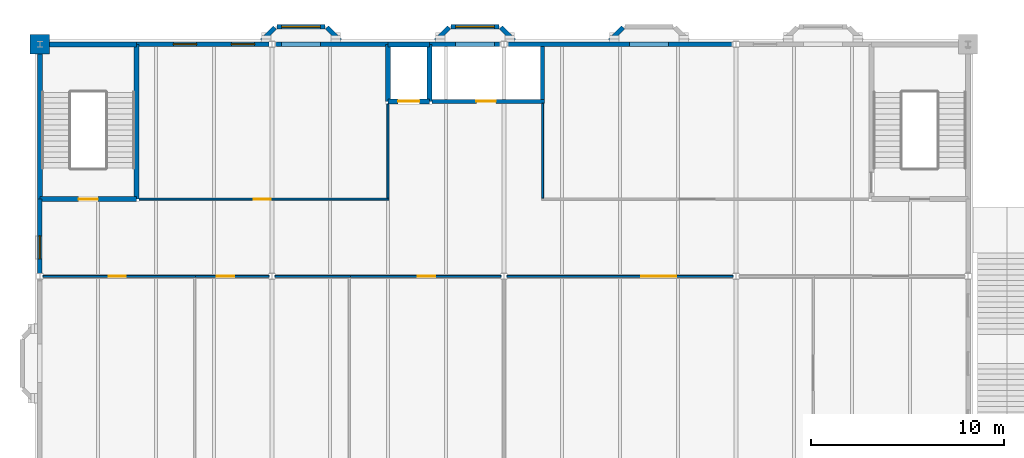
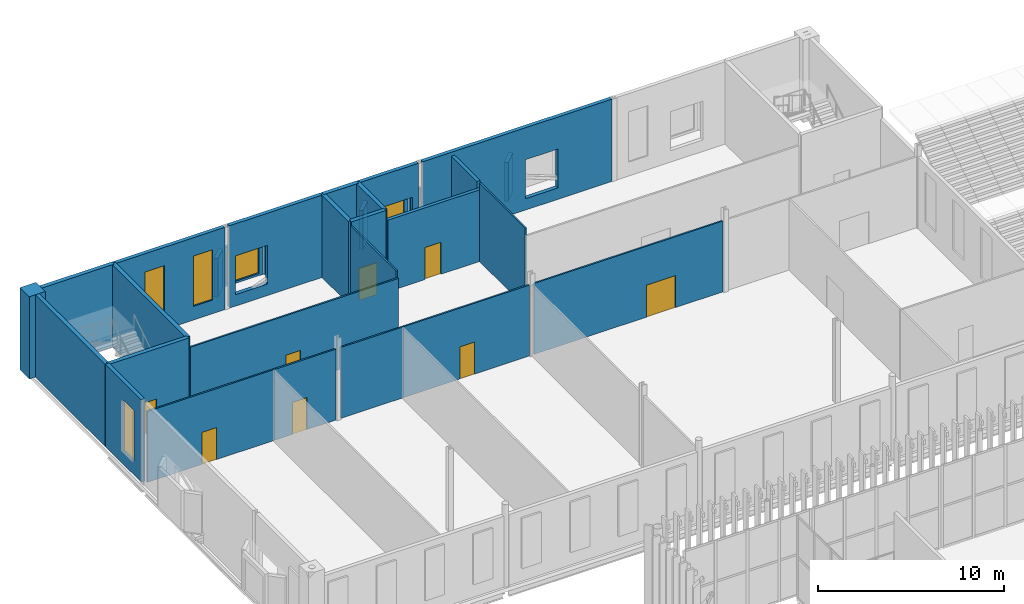
# One storey, part 112 of 170: 31 walls, 8 doors, 5 windows, 16 openings.
"""IFC4 building model written with IfcOpenShell, lengths in metres."""

from ifc_helpers import new_model, si_unit, direction, frame, frame_2d, origin, place, context, subcontext, project, spatial, rectangle, extrude, material, layer, layer_set, type_object, element, fill, save


model = new_model("IFC4")

# Units and contexts
model_context = context("Model", 3, precision=1e-05, world=origin(), true_north=direction((0.0, 1.0)))
body_context = subcontext(model_context, "Body", "Model", "MODEL_VIEW")
ifc_project = project(units=[si_unit("LENGTHUNIT", "METRE"), si_unit("AREAUNIT", "SQUARE_METRE"), si_unit("VOLUMEUNIT", "CUBIC_METRE"), si_unit("PLANEANGLEUNIT", "RADIAN"), si_unit("MASSUNIT", "GRAM", prefix="KILO")], contexts=[model_context])

# Site, building, storey
site_placement = place(None, origin())
site = spatial("IfcSite", under=ifc_project, at=site_placement, CompositionType="ELEMENT")
building_placement = place(site_placement, origin())
building = spatial("IfcBuilding", under=site, at=building_placement, Name="Ravi Spectrum Wholesale Market", CompositionType="ELEMENT")
storey_placement = place(building_placement, frame((0.0, 0.0, 5.39990234375)))
storey = spatial("IfcBuildingStorey", under=building, at=storey_placement, Name="L01", CompositionType="ELEMENT", Elevation=5.39990234375)

# Wall, opening, door
ifc_material_1 = material(Name="Concrete blockwork", Category="masonry")
ifc_layer_1 = layer(ifc_material_1, 0.199951171875)
ifc_layer_set_1 = layer_set([ifc_layer_1], Name="Concrete blockwork")
wall_type_1 = type_object("IfcWallType", Name="Blockwork partition 200 fire", PredefinedType="PARTITIONING", material=ifc_layer_set_1)
wall_1_placement = place(storey_placement, frame((32.27490234375, 231.050048828125, 0.0), z_axis=(0.0, 0.0, 1.0), x_axis=(1.0, 0.0, 0.0)))
wall_1 = element("IfcWall", 1, at=wall_1_placement, inside=storey, type_object=wall_type_1, Name="OF-WL-L01-092", PredefinedType="PARTITIONING", context=body_context, shape_type="SweptSolid", body=[
    extrude(rectangle(XDim=5.8251953125, YDim=0.199951171875, at=frame_2d((2.91259765625, 0.0))), origin(), (0.0, 0.0, 1.0), 4.7001953125),
])
opening_1_placement = place(wall_1_placement, frame((2.300048828125, 0.0, 0.0)))
opening_1 = element("IfcOpeningElement", 2, at=opening_1_placement, cuts=wall_1, Name="Opening D629", PredefinedType="OPENING", context=body_context, shape_type="SweptSolid", body=[
    extrude(rectangle(XDim=1.0, YDim=2.10009765625, at=frame_2d((0.5, 1.050048828125))), frame((0.0, 0.10986328125, 0.0), z_axis=(0.0, -1.0, 0.0), x_axis=(1.0, 0.0, 0.0)), (0.0, 0.0, 1.0), 0.219970703125),
])
ifc_material_2 = material(Name="Steel door", Category="steel")
door_type_1 = type_object("IfcDoorType", Name="Plant room door 1000 x 2100", OperationType="SINGLE_SWING_LEFT", PredefinedType="DOOR", material=ifc_material_2)
door_1_placement = place(opening_1_placement, origin())
door_1 = element("IfcDoor", 3, at=door_1_placement, inside=storey, type_object=door_type_1, Name="Riser access door D629", OperationType="SINGLE_SWING_RIGHT", OverallHeight=2.10009765625, OverallWidth=1.0, PredefinedType="DOOR", context=body_context, shape_type="SweptSolid", body=[
    extrude(rectangle(XDim=1.0, YDim=2.10009765625, at=frame_2d((0.5, 1.050048828125))), frame((0.0, 0.02490234375, 0.0), z_axis=(0.0, -1.0, 0.0), x_axis=(1.0, 0.0, 0.0)), (0.0, 0.0, 1.0), 0.050048828125),
])
fill(opening_1, door_1)

# Wall
wall_2_placement = place(storey_placement, frame((38.0, 231.14990234375, 0.0), z_axis=(0.0, 0.0, 1.0), x_axis=(0.0, 1.0, 0.0)))
element("IfcWall", 4, at=wall_2_placement, inside=storey, type_object=wall_type_1, Name="OF-WL-L01-099", PredefinedType="PARTITIONING", context=body_context, shape_type="SweptSolid", body=[
    extrude(rectangle(XDim=2.735107421875, YDim=0.199951171875, at=frame_2d((1.36767578125, 0.0))), origin(), (0.0, 0.0, 1.0), 5.150146484375),
])

# Wall, openings, windows
ifc_material_3 = material(Name="Facing brickwork", Category="masonry")
ifc_layer_2 = layer(ifc_material_3, 0.22998046875)
ifc_layer_set_2 = layer_set([ifc_layer_2], Name="Facing brickwork")
wall_type_2 = type_object("IfcWallType", Name="Brick 230 facing", PredefinedType="SOLIDWALL", material=ifc_layer_set_2)
wall_3_placement = place(storey_placement, frame((17.0, 234.0, 0.0), z_axis=(0.0, 0.0, 1.0), x_axis=(1.0, 0.0, 0.0)))
wall_3 = element("IfcWall", 5, at=wall_3_placement, inside=storey, type_object=wall_type_2, Name="OF-WL-L01-013", PredefinedType="SOLIDWALL", context=body_context, shape_type="SweptSolid", body=[
    extrude(rectangle(XDim=6.85009765625, YDim=0.22998046875, at=frame_2d((3.425048828125, 0.0))), origin(), (0.0, 0.0, 1.0), 5.400146484375),
])
opening_2_placement = place(wall_3_placement, frame((1.89990234375, 0.0, 0.89990234375)))
opening_2 = element("IfcOpeningElement", 6, at=opening_2_placement, cuts=wall_3, Name="Opening W3237", PredefinedType="OPENING", context=body_context, shape_type="SweptSolid", body=[
    extrude(rectangle(XDim=1.199951171875, YDim=3.300048828125, at=frame_2d((0.60009765625, 1.64990234375))), frame((0.0, 0.125, 0.0), z_axis=(0.0, -1.0, 0.0), x_axis=(1.0, 0.0, 0.0)), (0.0, 0.0, 1.0), 0.25),
])
opening_3_placement = place(wall_3_placement, frame((4.89990234375, 0.0, 0.89990234375)))
opening_3 = element("IfcOpeningElement", 7, at=opening_3_placement, cuts=wall_3, Name="Opening W3238", PredefinedType="OPENING", context=body_context, shape_type="SweptSolid", body=[
    extrude(rectangle(XDim=1.199951171875, YDim=3.300048828125, at=frame_2d((0.60009765625, 1.64990234375))), frame((0.0, 0.125, 0.0), z_axis=(0.0, -1.0, 0.0), x_axis=(1.0, 0.0, 0.0)), (0.0, 0.0, 1.0), 0.25),
])
ifc_material_4 = material(Name="Steel window frame", Category="steel")
window_type_1 = type_object("IfcWindowType", Name="Tall pier window 1200 x 3300", PartitioningType="SINGLE_PANEL", PredefinedType="WINDOW", material=ifc_material_4)
window_1_placement = place(opening_2_placement, origin())
window_1 = element("IfcWindow", 8, at=window_1_placement, inside=storey, type_object=window_type_1, Name="Window W3237", OverallHeight=3.300048828125, OverallWidth=1.199951171875, PartitioningType="SINGLE_PANEL", PredefinedType="WINDOW", context=body_context, shape_type="SweptSolid", body=[
    extrude(rectangle(XDim=1.199951171875, YDim=3.300048828125, at=frame_2d((0.60009765625, 1.64990234375))), frame((0.0, 0.030029296875, 0.0), z_axis=(0.0, -1.0, 0.0), x_axis=(1.0, 0.0, 0.0)), (0.0, 0.0, 1.0), 0.06005859375),
])
fill(opening_2, window_1)
window_2_placement = place(opening_3_placement, origin())
window_2 = element("IfcWindow", 9, at=window_2_placement, inside=storey, type_object=window_type_1, Name="Window W3238", OverallHeight=3.300048828125, OverallWidth=1.199951171875, PartitioningType="SINGLE_PANEL", PredefinedType="WINDOW", context=body_context, shape_type="SweptSolid", body=[
    extrude(rectangle(XDim=1.199951171875, YDim=3.300048828125, at=frame_2d((0.60009765625, 1.64990234375))), frame((0.0, 0.030029296875, 0.0), z_axis=(0.0, -1.0, 0.0), x_axis=(1.0, 0.0, 0.0)), (0.0, 0.0, 1.0), 0.06005859375),
])
fill(opening_3, window_2)

# Wall, opening
wall_4_placement = place(storey_placement, frame((24.14990234375, 234.0, 0.0), z_axis=(0.0, 0.0, 1.0), x_axis=(1.0, 0.0, 0.0)))
wall_4 = element("IfcWall", 10, at=wall_4_placement, inside=storey, type_object=wall_type_2, Name="OF-WL-L01-014", PredefinedType="SOLIDWALL", context=body_context, shape_type="SweptSolid", body=[
    extrude(rectangle(XDim=5.85009765625, YDim=0.22998046875, at=frame_2d((2.925048828125, 0.0))), origin(), (0.0, 0.0, 1.0), 5.400146484375),
])
opening_4_placement = place(wall_4_placement, frame((0.35009765625, 0.0, 0.75)))
element("IfcOpeningElement", 11, at=opening_4_placement, cuts=wall_4, Name="Opening OF-OP-L01-001", PredefinedType="OPENING", context=body_context, shape_type="SweptSolid", body=[
    extrude(rectangle(XDim=2.0, YDim=2.550048828125, at=frame_2d((1.0, 1.27490234375))), frame((0.0, 0.125, 0.0), z_axis=(0.0, -1.0, 0.0), x_axis=(1.0, 0.0, 0.0)), (0.0, 0.0, 1.0), 0.25),
])

wall_5_placement = place(storey_placement, frame((32.14990234375, 234.0, 0.0), z_axis=(0.0, 0.0, 1.0), x_axis=(1.0, 0.0, 0.0)))
wall_5 = element("IfcWall", 12, at=wall_5_placement, inside=storey, type_object=wall_type_2, Name="OF-WL-L01-015", PredefinedType="SOLIDWALL", context=body_context, shape_type="SweptSolid", body=[
    extrude(rectangle(XDim=3.7001953125, YDim=0.22998046875, at=frame_2d((1.85009765625, 0.0))), origin(), (0.0, 0.0, 1.0), 5.400146484375),
])
opening_5_placement = place(wall_5_placement, frame((1.35009765625, 0.0, 0.75)))
element("IfcOpeningElement", 13, at=opening_5_placement, cuts=wall_5, Name="Opening OF-OP-L01-002", PredefinedType="OPENING", context=body_context, shape_type="SweptSolid", body=[
    extrude(rectangle(XDim=2.0, YDim=2.550048828125, at=frame_2d((1.0, 1.27490234375))), frame((0.0, 0.125, 0.0), z_axis=(0.0, -1.0, 0.0), x_axis=(1.0, 0.0, 0.0)), (0.0, 0.0, 1.0), 0.25),
])

wall_6_placement = place(storey_placement, frame((36.14990234375, 234.0, 0.0), z_axis=(0.0, 0.0, 1.0), x_axis=(1.0, 0.0, 0.0)))
wall_6 = element("IfcWall", 14, at=wall_6_placement, inside=storey, type_object=wall_type_2, Name="OF-WL-L01-016", PredefinedType="SOLIDWALL", context=body_context, shape_type="SweptSolid", body=[
    extrude(rectangle(XDim=11.7001953125, YDim=0.22998046875, at=frame_2d((5.85009765625, 0.0))), origin(), (0.0, 0.0, 1.0), 5.400146484375),
])
opening_6_placement = place(wall_6_placement, frame((6.35009765625, 0.0, 0.75)))
element("IfcOpeningElement", 15, at=opening_6_placement, cuts=wall_6, Name="Opening OF-OP-L01-003", PredefinedType="OPENING", context=body_context, shape_type="SweptSolid", body=[
    extrude(rectangle(XDim=2.0, YDim=2.550048828125, at=frame_2d((1.0, 1.27490234375))), frame((0.0, 0.125, 0.0), z_axis=(0.0, -1.0, 0.0), x_axis=(1.0, 0.0, 0.0)), (0.0, 0.0, 1.0), 0.25),
])

# Wall, opening, window
wall_7_placement = place(storey_placement, frame((12.0, 222.14990234375, 0.0), z_axis=(0.0, 0.0, 1.0), x_axis=(0.0, 1.0, 0.0)))
wall_7 = element("IfcWall", 16, at=wall_7_placement, inside=storey, type_object=wall_type_2, Name="OF-WL-L01-020", PredefinedType="SOLIDWALL", context=body_context, shape_type="SweptSolid", body=[
    extrude(rectangle(XDim=3.85009765625, YDim=0.22998046875, at=frame_2d((1.925048828125, 0.0))), origin(), (0.0, 0.0, 1.0), 5.400146484375),
])
opening_7_placement = place(wall_7_placement, frame((0.75, 0.0, 0.89990234375)))
opening_7 = element("IfcOpeningElement", 17, at=opening_7_placement, cuts=wall_7, Name="Opening W3245", PredefinedType="OPENING", context=body_context, shape_type="SweptSolid", body=[
    extrude(rectangle(XDim=1.199951171875, YDim=3.300048828125, at=frame_2d((0.60009765625, 1.64990234375))), frame((0.0, 0.125, 0.0), z_axis=(0.0, -1.0, 0.0), x_axis=(1.0, 0.0, 0.0)), (0.0, 0.0, 1.0), 0.25),
])
ifc_material_5 = material(Name="Steel window frame", Category="steel")
window_type_2 = type_object("IfcWindowType", Name="Tall pier window with jali 1200 x 3300", PartitioningType="SINGLE_PANEL", PredefinedType="WINDOW", material=ifc_material_5)
window_3_placement = place(opening_7_placement, origin())
window_3 = element("IfcWindow", 18, at=window_3_placement, inside=storey, type_object=window_type_2, Name="Window W3245", OverallHeight=3.300048828125, OverallWidth=1.199951171875, PartitioningType="SINGLE_PANEL", PredefinedType="WINDOW", context=body_context, shape_type="SweptSolid", body=[
    extrude(rectangle(XDim=1.199951171875, YDim=3.300048828125, at=frame_2d((0.60009765625, 1.64990234375))), frame((0.0, 0.030029296875, 0.0), z_axis=(0.0, -1.0, 0.0), x_axis=(1.0, 0.0, 0.0)), (0.0, 0.0, 1.0), 0.06005859375),
])
fill(opening_7, window_3)

# Wall
wall_8_placement = place(storey_placement, frame((23.481201171875, 234.1962890625, 0.75), z_axis=(0.0, 0.0, 1.0), x_axis=(0.707106781187, 0.707106781187, 0.0)))
element("IfcWall", 19, at=wall_8_placement, inside=storey, type_object=wall_type_2, Name="Oriel wall", PredefinedType="SOLIDWALL", context=body_context, shape_type="SweptSolid", body=[
    extrude(rectangle(XDim=0.956298828125, YDim=0.22998046875, at=frame_2d((0.47802734375, 0.0))), origin(), (0.0, 0.0, 1.0), 2.550048828125),
])

# Wall, opening, window
wall_9_placement = place(storey_placement, frame((24.260009765625, 234.9150390625, 0.75), z_axis=(0.0, 0.0, 1.0), x_axis=(1.0, 0.0, 0.0)))
wall_9 = element("IfcWall", 20, at=wall_9_placement, inside=storey, type_object=wall_type_2, Name="Oriel wall", PredefinedType="SOLIDWALL", context=body_context, shape_type="SweptSolid", body=[
    extrude(rectangle(XDim=2.47998046875, YDim=0.22998046875, at=frame_2d((1.239990234375, 0.0))), origin(), (0.0, 0.0, 1.0), 2.550048828125),
])
opening_8_placement = place(wall_9_placement, frame((0.239990234375, 0.0, 0.14990234375)))
opening_8 = element("IfcOpeningElement", 21, at=opening_8_placement, cuts=wall_9, Name="Opening W3240", PredefinedType="OPENING", context=body_context, shape_type="SweptSolid", body=[
    extrude(rectangle(XDim=2.0, YDim=2.10009765625, at=frame_2d((1.0, 1.050048828125))), frame((0.0, 0.125, 0.0), z_axis=(0.0, -1.0, 0.0), x_axis=(1.0, 0.0, 0.0)), (0.0, 0.0, 1.0), 0.25),
])
ifc_material_6 = material(Name="Steel window frame", Category="steel")
window_type_3 = type_object("IfcWindowType", Name="Oriel window 2000 x 2100", PartitioningType="SINGLE_PANEL", PredefinedType="WINDOW", material=ifc_material_6)
window_4_placement = place(opening_8_placement, origin())
window_4 = element("IfcWindow", 22, at=window_4_placement, inside=storey, type_object=window_type_3, Name="Window W3240", OverallHeight=2.10009765625, OverallWidth=2.0, PartitioningType="SINGLE_PANEL", PredefinedType="WINDOW", context=body_context, shape_type="SweptSolid", body=[
    extrude(rectangle(XDim=2.0, YDim=2.10009765625, at=frame_2d((1.0, 1.050048828125))), frame((0.0, 0.030029296875, 0.0), z_axis=(0.0, -1.0, 0.0), x_axis=(1.0, 0.0, 0.0)), (0.0, 0.0, 1.0), 0.06005859375),
])
fill(opening_8, window_4)

# Walls
for number, where, z_axis, x_axis, name in (
    (23, (26.842529296875, 234.87255859375, 0.75), (0.0, 0.0, 1.0), (0.707106781187, -0.707106781187, 0.0), "Oriel wall"),
    (24, (32.481201171875, 234.1962890625, 0.75), (0.0, 0.0, 1.0), (0.707106781187, 0.707106781187, 0.0), "Oriel wall"),
):
    element("IfcWall", number, at=place(storey_placement, frame(where, z_axis=z_axis, x_axis=x_axis)), inside=storey, type_object=wall_type_2, Name=name, PredefinedType="SOLIDWALL", context=body_context, shape_type="SweptSolid", body=[
        extrude(rectangle(XDim=0.956298828125, YDim=0.22998046875, at=frame_2d((0.47802734375, 0.0))), origin(), (0.0, 0.0, 1.0), 2.550048828125),
    ])

# Wall, opening, window
wall_10_placement = place(storey_placement, frame((33.260009765625, 234.9150390625, 0.75), z_axis=(0.0, 0.0, 1.0), x_axis=(1.0, 0.0, 0.0)))
wall_10 = element("IfcWall", 25, at=wall_10_placement, inside=storey, type_object=wall_type_2, Name="Oriel wall", PredefinedType="SOLIDWALL", context=body_context, shape_type="SweptSolid", body=[
    extrude(rectangle(XDim=2.47998046875, YDim=0.22998046875, at=frame_2d((1.239990234375, 0.0))), origin(), (0.0, 0.0, 1.0), 2.550048828125),
])
opening_9_placement = place(wall_10_placement, frame((0.239990234375, 0.0, 0.14990234375)))
opening_9 = element("IfcOpeningElement", 26, at=opening_9_placement, cuts=wall_10, Name="Opening W3241", PredefinedType="OPENING", context=body_context, shape_type="SweptSolid", body=[
    extrude(rectangle(XDim=2.0, YDim=2.10009765625, at=frame_2d((1.0, 1.050048828125))), frame((0.0, 0.125, 0.0), z_axis=(0.0, -1.0, 0.0), x_axis=(1.0, 0.0, 0.0)), (0.0, 0.0, 1.0), 0.25),
])
window_5_placement = place(opening_9_placement, origin())
window_5 = element("IfcWindow", 27, at=window_5_placement, inside=storey, type_object=window_type_3, Name="Window W3241", OverallHeight=2.10009765625, OverallWidth=2.0, PartitioningType="SINGLE_PANEL", PredefinedType="WINDOW", context=body_context, shape_type="SweptSolid", body=[
    extrude(rectangle(XDim=2.0, YDim=2.10009765625, at=frame_2d((1.0, 1.050048828125))), frame((0.0, 0.030029296875, 0.0), z_axis=(0.0, -1.0, 0.0), x_axis=(1.0, 0.0, 0.0)), (0.0, 0.0, 1.0), 0.06005859375),
])
fill(opening_9, window_5)

# Walls
for number, where, z_axis, x_axis, name in (
    (28, (35.842529296875, 234.87255859375, 0.75), (0.0, 0.0, 1.0), (0.707106781187, -0.707106781187, 0.0), "Oriel wall"),
    (29, (41.481201171875, 234.1962890625, 0.75), (0.0, 0.0, 1.0), (0.707106781187, 0.707106781187, 0.0), "Oriel wall"),
):
    element("IfcWall", number, at=place(storey_placement, frame(where, z_axis=z_axis, x_axis=x_axis)), inside=storey, type_object=wall_type_2, Name=name, PredefinedType="SOLIDWALL", context=body_context, shape_type="SweptSolid", body=[
        extrude(rectangle(XDim=0.956298828125, YDim=0.22998046875, at=frame_2d((0.47802734375, 0.0))), origin(), (0.0, 0.0, 1.0), 2.550048828125),
    ])
ifc_material_7 = material(Name="Clinker brickwork", Category="masonry")
ifc_layer_3 = layer(ifc_material_7, 1.0)
ifc_layer_set_3 = layer_set([ifc_layer_3], Name="Clinker brickwork")
wall_type_3 = type_object("IfcWallType", Name="Brick corner pier 1000", PredefinedType="SOLIDWALL", material=ifc_layer_set_3)
wall_11_placement = place(storey_placement, frame((11.5, 234.0, 0.0), z_axis=(0.0, 0.0, 1.0), x_axis=(1.0, 0.0, 0.0)))
element("IfcWall", 30, at=wall_11_placement, inside=storey, type_object=wall_type_3, Name="Corner pier", PredefinedType="SOLIDWALL", context=body_context, shape_type="SweptSolid", body=[
    extrude(rectangle(XDim=1.0, YDim=1.0, at=frame_2d((0.5, 0.0))), origin(), (0.0, 0.0, 1.0), 5.400146484375),
])

# Wall, opening, door
ifc_material_8 = material(Name="Concrete C35/45", Category="concrete")
ifc_layer_4 = layer(ifc_material_8, 0.25)
ifc_layer_set_4 = layer_set([ifc_layer_4], Name="Concrete C35/45")
wall_type_4 = type_object("IfcWallType", Name="Concrete core wall 250", PredefinedType="SHEAR", material=ifc_layer_set_4)
wall_12_placement = place(storey_placement, frame((12.0, 226.0, 0.0), z_axis=(0.0, 0.0, 1.0), x_axis=(1.0, 0.0, 0.0)))
wall_12 = element("IfcWall", 31, at=wall_12_placement, inside=storey, type_object=wall_type_4, Name="Stair core wall Stair S-OF-1", PredefinedType="SHEAR", context=body_context, shape_type="SweptSolid", body=[
    extrude(rectangle(XDim=5.0, YDim=0.25, at=frame_2d((2.5, 0.0))), origin(), (0.0, 0.0, 1.0), 5.400146484375),
])
opening_10_placement = place(wall_12_placement, frame((2.0, 0.0, 0.0)))
opening_10 = element("IfcOpeningElement", 32, at=opening_10_placement, cuts=wall_12, Name="Opening D626", PredefinedType="OPENING", context=body_context, shape_type="SweptSolid", body=[
    extrude(rectangle(XDim=1.0, YDim=2.10009765625, at=frame_2d((0.5, 1.050048828125))), frame((0.0, 0.135009765625, 0.0), z_axis=(0.0, -1.0, 0.0), x_axis=(1.0, 0.0, 0.0)), (0.0, 0.0, 1.0), 0.27001953125),
])
ifc_material_9 = material(Name="Steel door", Category="steel")
door_type_2 = type_object("IfcDoorType", Name="Stair door 1000 x 2100", OperationType="SINGLE_SWING_LEFT", PredefinedType="DOOR", material=ifc_material_9)
door_2_placement = place(opening_10_placement, origin())
door_2 = element("IfcDoor", 33, at=door_2_placement, inside=storey, type_object=door_type_2, Name="Door D626", OperationType="SINGLE_SWING_RIGHT", OverallHeight=2.10009765625, OverallWidth=1.0, PredefinedType="DOOR", context=body_context, shape_type="SweptSolid", body=[
    extrude(rectangle(XDim=1.0, YDim=2.10009765625, at=frame_2d((0.5, 1.050048828125))), frame((0.0, 0.02490234375, 0.0), z_axis=(0.0, -1.0, 0.0), x_axis=(1.0, 0.0, 0.0)), (0.0, 0.0, 1.0), 0.050048828125),
])
fill(opening_10, door_2)

# Walls
wall_13_placement = place(storey_placement, frame((17.0, 226.0, 0.0), z_axis=(0.0, 0.0, 1.0), x_axis=(0.0, 1.0, 0.0)))
element("IfcWall", 34, at=wall_13_placement, inside=storey, type_object=wall_type_4, Name="Stair core wall Stair S-OF-1", PredefinedType="SHEAR", context=body_context, shape_type="SweptSolid", body=[
    extrude(rectangle(XDim=8.0, YDim=0.25, at=frame_2d((4.0, 0.0))), origin(), (0.0, 0.0, 1.0), 5.400146484375),
])
wall_14_placement = place(storey_placement, frame((12.5, 234.0, 0.0), z_axis=(0.0, 0.0, 1.0), x_axis=(1.0, 0.0, 0.0)))
element("IfcWall", 35, at=wall_14_placement, inside=storey, type_object=wall_type_4, Name="Stair core wall Stair S-OF-1", PredefinedType="SHEAR", context=body_context, shape_type="SweptSolid", body=[
    extrude(rectangle(XDim=4.5, YDim=0.25, at=frame_2d((2.25, 0.0))), origin(), (0.0, 0.0, 1.0), 5.400146484375),
])
wall_15_placement = place(storey_placement, frame((12.0, 226.0, 0.0), z_axis=(0.0, 0.0, 1.0), x_axis=(0.0, 1.0, 0.0)))
element("IfcWall", 36, at=wall_15_placement, inside=storey, type_object=wall_type_4, Name="Stair core wall Stair S-OF-1", PredefinedType="SHEAR", context=body_context, shape_type="SweptSolid", body=[
    extrude(rectangle(XDim=7.5, YDim=0.25, at=frame_2d((3.75, 0.0))), origin(), (0.0, 0.0, 1.0), 5.400146484375),
])

# Wall, opening, door
ifc_material_10 = material(Name="Gypsum board partition")
ifc_layer_5 = layer(ifc_material_10, 0.10009765625)
ifc_layer_set_5 = layer_set([ifc_layer_5], Name="Gypsum board partition")
wall_type_5 = type_object("IfcWallType", Name="Drywall partition 100", PredefinedType="PARTITIONING", material=ifc_layer_set_5)
wall_16_placement = place(storey_placement, frame((12.14990234375, 222.0, 0.0), z_axis=(0.0, 0.0, 1.0), x_axis=(1.0, 0.0, 0.0)))
wall_16 = element("IfcWall", 37, at=wall_16_placement, inside=storey, type_object=wall_type_5, Name="OF-WL-L01-083", PredefinedType="PARTITIONING", context=body_context, shape_type="SweptSolid", body=[
    extrude(rectangle(XDim=7.900146484375, YDim=0.10009765625, at=frame_2d((3.9501953125, 0.0))), origin(), (0.0, 0.0, 1.0), 4.650146484375),
])
opening_11_placement = place(wall_16_placement, frame((3.39990234375, 0.0, 0.0)))
opening_11 = element("IfcOpeningElement", 38, at=opening_11_placement, cuts=wall_16, Name="Opening D615", PredefinedType="OPENING", context=body_context, shape_type="SweptSolid", body=[
    extrude(rectangle(XDim=0.89990234375, YDim=2.10009765625, at=frame_2d((0.449951171875, 1.050048828125))), frame((0.0, 0.06005859375, 0.0), z_axis=(0.0, -1.0, 0.0), x_axis=(1.0, 0.0, 0.0)), (0.0, 0.0, 1.0), 0.1201171875),
])
ifc_material_11 = material(Name="Timber door", Category="wood")
door_type_3 = type_object("IfcDoorType", Name="Office door 900 x 2100", OperationType="SINGLE_SWING_LEFT", PredefinedType="DOOR", material=ifc_material_11)
door_3_placement = place(opening_11_placement, origin())
door_3 = element("IfcDoor", 39, at=door_3_placement, inside=storey, type_object=door_type_3, Name="Door D615", OperationType="SINGLE_SWING_RIGHT", OverallHeight=2.10009765625, OverallWidth=0.89990234375, PredefinedType="DOOR", context=body_context, shape_type="SweptSolid", body=[
    extrude(rectangle(XDim=0.89990234375, YDim=2.10009765625, at=frame_2d((0.449951171875, 1.050048828125))), frame((0.0, 0.02490234375, 0.0), z_axis=(0.0, -1.0, 0.0), x_axis=(1.0, 0.0, 0.0)), (0.0, 0.0, 1.0), 0.050048828125),
])
fill(opening_11, door_3)

wall_17_placement = place(storey_placement, frame((20.050048828125, 222.0, 0.0), z_axis=(0.0, 0.0, 1.0), x_axis=(1.0, 0.0, 0.0)))
wall_17 = element("IfcWall", 40, at=wall_17_placement, inside=storey, type_object=wall_type_5, Name="OF-WL-L01-084", PredefinedType="PARTITIONING", context=body_context, shape_type="SweptSolid", body=[
    extrude(rectangle(XDim=3.800048828125, YDim=0.10009765625, at=frame_2d((1.89990234375, 0.0))), origin(), (0.0, 0.0, 1.0), 4.650146484375),
])
opening_12_placement = place(wall_17_placement, frame((1.10009765625, 0.0, 0.0)))
opening_12 = element("IfcOpeningElement", 41, at=opening_12_placement, cuts=wall_17, Name="Opening D616", PredefinedType="OPENING", context=body_context, shape_type="SweptSolid", body=[
    extrude(rectangle(XDim=0.89990234375, YDim=2.10009765625, at=frame_2d((0.449951171875, 1.050048828125))), frame((0.0, 0.06005859375, 0.0), z_axis=(0.0, -1.0, 0.0), x_axis=(1.0, 0.0, 0.0)), (0.0, 0.0, 1.0), 0.1201171875),
])
door_4_placement = place(opening_12_placement, origin())
door_4 = element("IfcDoor", 42, at=door_4_placement, inside=storey, type_object=door_type_3, Name="Door D616", OperationType="SINGLE_SWING_RIGHT", OverallHeight=2.10009765625, OverallWidth=0.89990234375, PredefinedType="DOOR", context=body_context, shape_type="SweptSolid", body=[
    extrude(rectangle(XDim=0.89990234375, YDim=2.10009765625, at=frame_2d((0.449951171875, 1.050048828125))), frame((0.0, 0.02490234375, 0.0), z_axis=(0.0, -1.0, 0.0), x_axis=(1.0, 0.0, 0.0)), (0.0, 0.0, 1.0), 0.050048828125),
])
fill(opening_12, door_4)

# Wall
wall_18_placement = place(storey_placement, frame((24.14990234375, 222.0, 0.0), z_axis=(0.0, 0.0, 1.0), x_axis=(1.0, 0.0, 0.0)))
element("IfcWall", 43, at=wall_18_placement, inside=storey, type_object=wall_type_5, Name="OF-WL-L01-085", PredefinedType="PARTITIONING", context=body_context, shape_type="SweptSolid", body=[
    extrude(rectangle(XDim=3.900146484375, YDim=0.10009765625, at=frame_2d((1.9501953125, 0.0))), origin(), (0.0, 0.0, 1.0), 4.650146484375),
])

# Wall, opening, door
wall_19_placement = place(storey_placement, frame((28.050048828125, 222.0, 0.0), z_axis=(0.0, 0.0, 1.0), x_axis=(1.0, 0.0, 0.0)))
wall_19 = element("IfcWall", 44, at=wall_19_placement, inside=storey, type_object=wall_type_5, Name="OF-WL-L01-086", PredefinedType="PARTITIONING", context=body_context, shape_type="SweptSolid", body=[
    extrude(rectangle(XDim=7.800048828125, YDim=0.10009765625, at=frame_2d((3.89990234375, 0.0))), origin(), (0.0, 0.0, 1.0), 4.650146484375),
])
opening_13_placement = place(wall_19_placement, frame((3.5, 0.0, 0.0)))
opening_13 = element("IfcOpeningElement", 45, at=opening_13_placement, cuts=wall_19, Name="Opening D617", PredefinedType="OPENING", context=body_context, shape_type="SweptSolid", body=[
    extrude(rectangle(XDim=0.89990234375, YDim=2.10009765625, at=frame_2d((0.449951171875, 1.050048828125))), frame((0.0, 0.06005859375, 0.0), z_axis=(0.0, -1.0, 0.0), x_axis=(1.0, 0.0, 0.0)), (0.0, 0.0, 1.0), 0.1201171875),
])
door_5_placement = place(opening_13_placement, origin())
door_5 = element("IfcDoor", 46, at=door_5_placement, inside=storey, type_object=door_type_3, Name="Door D617", OperationType="SINGLE_SWING_RIGHT", OverallHeight=2.10009765625, OverallWidth=0.89990234375, PredefinedType="DOOR", context=body_context, shape_type="SweptSolid", body=[
    extrude(rectangle(XDim=0.89990234375, YDim=2.10009765625, at=frame_2d((0.449951171875, 1.050048828125))), frame((0.0, 0.02490234375, 0.0), z_axis=(0.0, -1.0, 0.0), x_axis=(1.0, 0.0, 0.0)), (0.0, 0.0, 1.0), 0.050048828125),
])
fill(opening_13, door_5)

wall_20_placement = place(storey_placement, frame((36.14990234375, 222.0, 0.0), z_axis=(0.0, 0.0, 1.0), x_axis=(1.0, 0.0, 0.0)))
wall_20 = element("IfcWall", 47, at=wall_20_placement, inside=storey, type_object=wall_type_5, Name="OF-WL-L01-087", PredefinedType="PARTITIONING", context=body_context, shape_type="SweptSolid", body=[
    extrude(rectangle(XDim=11.7001953125, YDim=0.10009765625, at=frame_2d((5.85009765625, 0.0))), origin(), (0.0, 0.0, 1.0), 4.650146484375),
])
opening_14_placement = place(wall_20_placement, frame((6.949951171875, 0.0, 0.0)))
opening_14 = element("IfcOpeningElement", 48, at=opening_14_placement, cuts=wall_20, Name="Opening D618", PredefinedType="OPENING", context=body_context, shape_type="SweptSolid", body=[
    extrude(rectangle(XDim=1.800048828125, YDim=2.10009765625, at=frame_2d((0.89990234375, 1.050048828125))), frame((0.0, 0.06005859375, 0.0), z_axis=(0.0, -1.0, 0.0), x_axis=(1.0, 0.0, 0.0)), (0.0, 0.0, 1.0), 0.1201171875),
])
ifc_material_12 = material(Name="Steel door", Category="steel")
door_type_4 = type_object("IfcDoorType", Name="Double leaf door 1800 x 2100", OperationType="DOUBLE_DOOR_SINGLE_SWING", PredefinedType="DOOR", material=ifc_material_12)
door_6_placement = place(opening_14_placement, origin())
door_6 = element("IfcDoor", 49, at=door_6_placement, inside=storey, type_object=door_type_4, Name="Door D618", OperationType="DOUBLE_DOOR_SINGLE_SWING", OverallHeight=2.10009765625, OverallWidth=1.800048828125, PredefinedType="DOOR", context=body_context, shape_type="SweptSolid", body=[
    extrude(rectangle(XDim=1.800048828125, YDim=2.10009765625, at=frame_2d((0.89990234375, 1.050048828125))), frame((0.0, 0.02490234375, 0.0), z_axis=(0.0, -1.0, 0.0), x_axis=(1.0, 0.0, 0.0)), (0.0, 0.0, 1.0), 0.050048828125),
])
fill(opening_14, door_6)

wall_21_placement = place(storey_placement, frame((17.125, 226.0, 0.0), z_axis=(0.0, 0.0, 1.0), x_axis=(1.0, 0.0, 0.0)))
wall_21 = element("IfcWall", 50, at=wall_21_placement, inside=storey, type_object=wall_type_5, Name="OF-WL-L01-090", PredefinedType="PARTITIONING", context=body_context, shape_type="SweptSolid", body=[
    extrude(rectangle(XDim=12.925048828125, YDim=0.10009765625, at=frame_2d((6.46240234375, 0.0))), origin(), (0.0, 0.0, 1.0), 4.7001953125),
])
opening_15_placement = place(wall_21_placement, frame((5.925048828125, 0.0, 0.0)))
opening_15 = element("IfcOpeningElement", 51, at=opening_15_placement, cuts=wall_21, Name="Opening D623", PredefinedType="OPENING", context=body_context, shape_type="SweptSolid", body=[
    extrude(rectangle(XDim=0.89990234375, YDim=2.10009765625, at=frame_2d((0.449951171875, 1.050048828125))), frame((0.0, 0.06005859375, 0.0), z_axis=(0.0, -1.0, 0.0), x_axis=(1.0, 0.0, 0.0)), (0.0, 0.0, 1.0), 0.1201171875),
])
door_7_placement = place(opening_15_placement, origin())
door_7 = element("IfcDoor", 52, at=door_7_placement, inside=storey, type_object=door_type_3, Name="Door D623", OperationType="SINGLE_SWING_LEFT", OverallHeight=2.10009765625, OverallWidth=0.89990234375, PredefinedType="DOOR", context=body_context, shape_type="SweptSolid", body=[
    extrude(rectangle(XDim=0.89990234375, YDim=2.10009765625, at=frame_2d((0.449951171875, 1.050048828125))), frame((0.0, 0.02490234375, 0.0), z_axis=(0.0, -1.0, 0.0), x_axis=(1.0, 0.0, 0.0)), (0.0, 0.0, 1.0), 0.050048828125),
])
fill(opening_15, door_7)

# Walls
wall_22_placement = place(storey_placement, frame((30.0, 226.050048828125, 0.0), z_axis=(0.0, 0.0, 1.0), x_axis=(0.0, 1.0, 0.0)))
element("IfcWall", 53, at=wall_22_placement, inside=storey, type_object=wall_type_5, Name="OF-WL-L01-095", PredefinedType="PARTITIONING", context=body_context, shape_type="SweptSolid", body=[
    extrude(rectangle(XDim=4.875, YDim=0.10009765625, at=frame_2d((2.4375, 0.0))), origin(), (0.0, 0.0, 1.0), 5.150146484375),
])
wall_23_placement = place(storey_placement, frame((38.0, 226.050048828125, 0.0), z_axis=(0.0, 0.0, 1.0), x_axis=(0.0, 1.0, 0.0)))
element("IfcWall", 54, at=wall_23_placement, inside=storey, type_object=wall_type_5, Name="OF-WL-L01-098", PredefinedType="PARTITIONING", context=body_context, shape_type="SweptSolid", body=[
    extrude(rectangle(XDim=4.89990234375, YDim=0.10009765625, at=frame_2d((2.449951171875, 0.0))), origin(), (0.0, 0.0, 1.0), 5.150146484375),
])
ifc_material_13 = material(Name="Concrete C35/45", Category="concrete")
ifc_layer_6 = layer(ifc_material_13, 0.25)
ifc_layer_set_6 = layer_set([ifc_layer_6], Name="Concrete C35/45")
wall_type_6 = type_object("IfcWallType", Name="Shaft wall 250", PredefinedType="SHEAR", material=ifc_layer_set_6)
wall_24_placement = place(storey_placement, frame((32.14990234375, 231.050048828125, 0.0), z_axis=(0.0, 0.0, 1.0), x_axis=(0.0, 1.0, 0.0)))
element("IfcWall", 55, at=wall_24_placement, inside=storey, type_object=wall_type_6, Name="OF-WL-L01-LF-OF-1-E", PredefinedType="SHEAR", context=body_context, shape_type="SweptSolid", body=[
    extrude(rectangle(XDim=2.949951171875, YDim=0.25, at=frame_2d((1.47509765625, 0.0))), origin(), (0.0, 0.0, 1.0), 5.400146484375),
])
wall_25_placement = place(storey_placement, frame((32.14990234375, 234.0, 0.0), z_axis=(0.0, 0.0, 1.0), x_axis=(-1.0, 0.0, 0.0)))
element("IfcWall", 56, at=wall_25_placement, inside=storey, type_object=wall_type_6, Name="OF-WL-L01-LF-OF-1-N", PredefinedType="SHEAR", context=body_context, shape_type="SweptSolid", body=[
    extrude(rectangle(XDim=2.14990234375, YDim=0.25, at=frame_2d((1.074951171875, 0.0))), origin(), (0.0, 0.0, 1.0), 5.400146484375),
])

# Wall, opening, door
wall_26_placement = place(storey_placement, frame((30.0, 231.050048828125, 0.0), z_axis=(0.0, 0.0, 1.0), x_axis=(1.0, 0.0, 0.0)))
wall_26 = element("IfcWall", 57, at=wall_26_placement, inside=storey, type_object=wall_type_6, Name="OF-WL-L01-LF-OF-1-S", PredefinedType="SHEAR", context=body_context, shape_type="SweptSolid", body=[
    extrude(rectangle(XDim=2.14990234375, YDim=0.25, at=frame_2d((1.074951171875, 0.0))), origin(), (0.0, 0.0, 1.0), 5.400146484375),
])
opening_16_placement = place(wall_26_placement, frame((0.52490234375, 0.0, 0.0)))
opening_16 = element("IfcOpeningElement", 58, at=opening_16_placement, cuts=wall_26, Name="Opening D639", PredefinedType="OPENING", context=body_context, shape_type="SweptSolid", body=[
    extrude(rectangle(XDim=1.10009765625, YDim=2.10009765625, at=frame_2d((0.550048828125, 1.050048828125))), frame((0.0, 0.135009765625, 0.0), z_axis=(0.0, -1.0, 0.0), x_axis=(1.0, 0.0, 0.0)), (0.0, 0.0, 1.0), 0.27001953125),
])
ifc_material_14 = material(Name="Stainless steel door", Category="steel")
door_type_5 = type_object("IfcDoorType", Name="Lift landing door 1100 x 2100", OperationType="SLIDING_TO_LEFT", PredefinedType="DOOR", material=ifc_material_14)
door_8_placement = place(opening_16_placement, origin())
door_8 = element("IfcDoor", 59, at=door_8_placement, inside=storey, type_object=door_type_5, Name="Landing door LF-OF-1 L01", OperationType="SLIDING_TO_LEFT", OverallHeight=2.10009765625, OverallWidth=1.10009765625, PredefinedType="DOOR", context=body_context, shape_type="SweptSolid", body=[
    extrude(rectangle(XDim=1.10009765625, YDim=2.10009765625, at=frame_2d((0.550048828125, 1.050048828125))), frame((0.0, 0.02490234375, 0.0), z_axis=(0.0, -1.0, 0.0), x_axis=(1.0, 0.0, 0.0)), (0.0, 0.0, 1.0), 0.050048828125),
])
fill(opening_16, door_8)

# Wall
wall_27_placement = place(storey_placement, frame((30.0, 234.0, 0.0), z_axis=(0.0, 0.0, 1.0), x_axis=(0.0, -1.0, 0.0)))
element("IfcWall", 60, at=wall_27_placement, inside=storey, type_object=wall_type_6, Name="OF-WL-L01-LF-OF-1-W", PredefinedType="SHEAR", context=body_context, shape_type="SweptSolid", body=[
    extrude(rectangle(XDim=2.949951171875, YDim=0.25, at=frame_2d((1.47509765625, 0.0))), origin(), (0.0, 0.0, 1.0), 5.400146484375),
])

save(model, "model.ifc")
